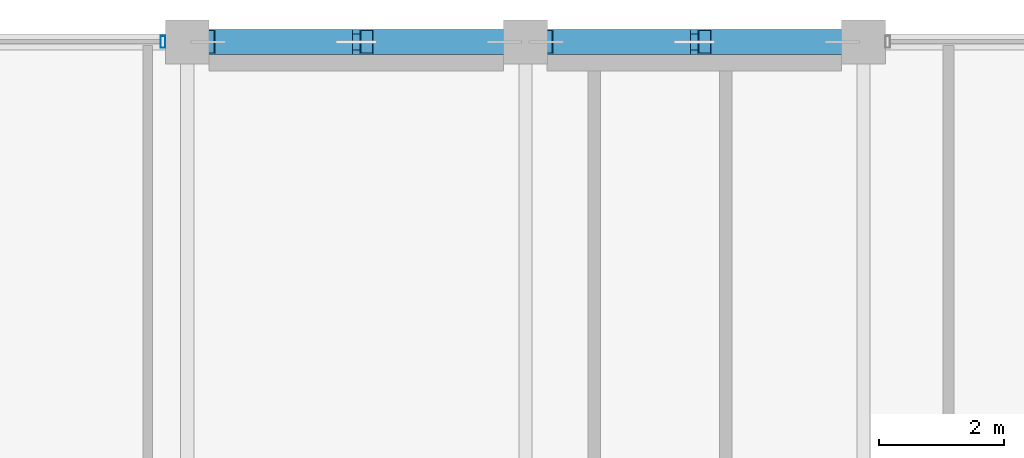
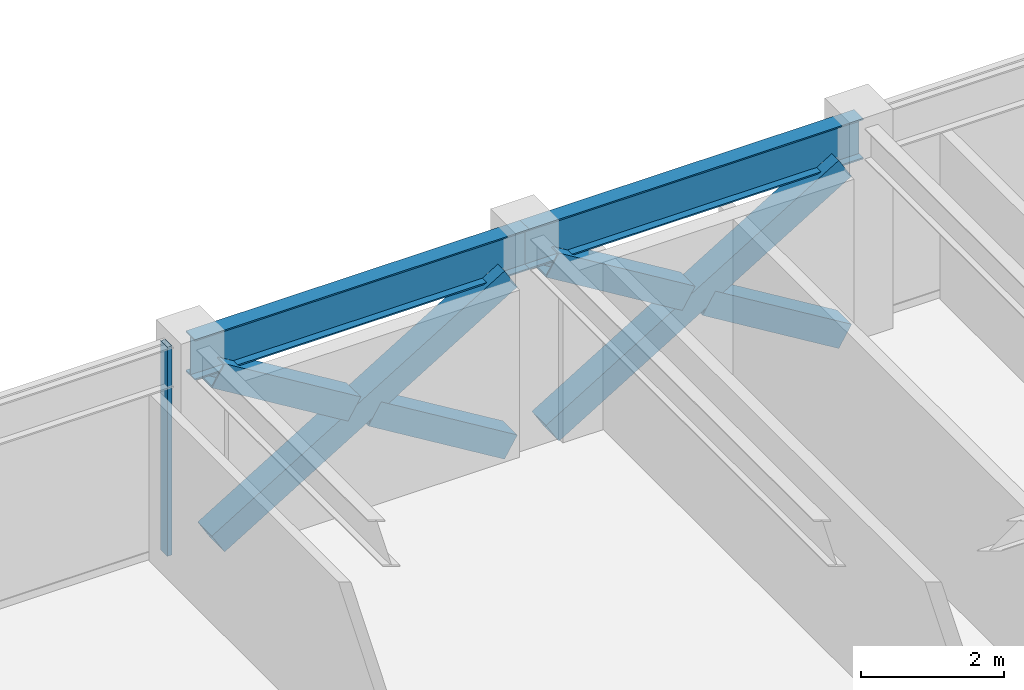
# One storey, part 19 of 30: 7 members, 2 beams, 1 element without a shape of its own.
"""IFC4 building model written with IfcOpenShell, lengths in metres."""

from ifc_helpers import new_model, si_unit, direction, frame, origin, origin_2d, place, context, subcontext, project, spatial, hollow_rectangle, i_section, extrude, material, layer, layer_set, material_profile, profile_set, type_object, element, aggregate, save


model = new_model("IFC4")

# Units and contexts
model_context = context("Model", 3, precision=1e-05, world=origin(), true_north=direction((0.0, 1.0)))
body_context = subcontext(model_context, "Body", "Model", "MODEL_VIEW")
ifc_project = project(units=[si_unit("LENGTHUNIT", "METRE"), si_unit("AREAUNIT", "SQUARE_METRE"), si_unit("VOLUMEUNIT", "CUBIC_METRE"), si_unit("PLANEANGLEUNIT", "RADIAN"), si_unit("MASSUNIT", "GRAM", prefix="KILO")], contexts=[model_context])

# Site, building, storey
site_placement = place(None, origin())
site = spatial("IfcSite", under=ifc_project, at=site_placement, CompositionType="ELEMENT")
building_placement = place(site_placement, origin())
building = spatial("IfcBuilding", under=site, at=building_placement, Name="Surkhivell Harbour Commons", CompositionType="ELEMENT")
storey_placement = place(building_placement, frame((0.0, 0.0, 300.0)))
storey = spatial("IfcBuildingStorey", under=building, at=storey_placement, Name="L78", CompositionType="ELEMENT", Elevation=300.0)

# Beams
ifc_material_1 = material(Name="Steel S355", Category="steel")
ifc_material_profile_1 = material_profile(ifc_material_1, i_section(OverallWidth=0.256103515625, OverallDepth=0.693115234375, WebThickness=0.014404296875, FlangeThickness=0.023681640625, at=origin_2d()), Name="UB686x254x170")
ifc_profile_set_1 = profile_set([ifc_material_profile_1], Name="Steel S355")
beam_type = type_object("IfcBeamType", Name="BM-SPN-686", PredefinedType="SPANDREL", material=ifc_profile_set_1)
for number, where, z_axis, x_axis, name in (
    (1, (-5.39990234375, 25.89990234375, 3.223388671875), (1.0, 0.0, 0.0), (0.0, 1.0, 0.0), "L78 Tube Spandrel (-5.4,25.9)"),
    (2, (0.0, 25.89990234375, 3.223388671875), (1.0, 0.0, 0.0), (0.0, 1.0, 0.0), "L78 Tube Spandrel (-0.0,25.9)"),
):
    element("IfcBeam", number, at=place(storey_placement, frame(where, z_axis=z_axis, x_axis=x_axis)), inside=storey, type_object=beam_type, Name=name, PredefinedType="SPANDREL", context=body_context, shape_type="SweptSolid", body=[
        extrude(i_section(OverallWidth=0.256103515625, OverallDepth=0.693115234375, WebThickness=0.014404296875, FlangeThickness=0.023681640625, at=origin_2d()), origin(), (0.0, 0.0, 1.0), 5.39990234375),
    ])

# Curtain wall, member
ifc_material_2 = material(Name="Anodised pale-metal aluminium and insulated glazing", Category="aluminium")
ifc_layer = layer(ifc_material_2, 0.175048828125)
ifc_layer_set = layer_set([ifc_layer], Name="Anodised pale-metal aluminium and insulated glazing")
curtain_wall_type = type_object("IfcCurtainWallType", Name="CW-SYS-Z4", PredefinedType="NOTDEFINED", material=ifc_layer_set)
curtain_wall_placement = place(storey_placement, origin())
curtain_wall = element("IfcCurtainWall", 3, at=curtain_wall_placement, inside=storey, type_object=curtain_wall_type, Name="L78 Curtain Wall CW-L78-E07S2", PredefinedType="NOTDEFINED")
ifc_material_3 = material(Name="Anodised pale-metal aluminium alloy 6063-T6", Category="aluminium")
ifc_material_profile_2 = material_profile(ifc_material_3, hollow_rectangle(XDim=0.074951171875, YDim=0.18994140625, WallThickness=0.00390625, at=origin_2d()), Name="ALU-MULL-75x190")
ifc_profile_set_2 = profile_set([ifc_material_profile_2], Name="Anodised pale-metal aluminium alloy 6063-T6")
member_type_1 = type_object("IfcMemberType", Name="CWM-190", PredefinedType="MULLION", material=ifc_profile_set_2)
member_1_placement = place(storey_placement, frame((-5.78955078125, 25.89990234375, 0.0), z_axis=(0.0, 0.0, 1.0), x_axis=(-1.0, 0.0, 0.0)))
member_1 = element("IfcMember", 4, at=member_1_placement, type_object=member_type_1, Name="CW-Z4 mullion 1", PredefinedType="MULLION", context=body_context, shape_type="SweptSolid", body=[
    extrude(hollow_rectangle(XDim=0.074951171875, YDim=0.18994140625, WallThickness=0.00390625, at=origin_2d()), origin(), (0.0, 0.0, 1.0), 3.570068359375),
])
aggregate(curtain_wall, [member_1])

# Members
ifc_material_4 = material(Name="Steel S460", Category="steel")
ifc_material_profile_3 = material_profile(ifc_material_4, hollow_rectangle(XDim=0.39990234375, YDim=0.39990234375, WallThickness=0.02001953125, at=origin_2d()), Name="SHS400x400x20")
ifc_profile_set_3 = profile_set([ifc_material_profile_3], Name="Steel S460")
member_type_2 = type_object("IfcMemberType", Name="MEM-BRC-SHS400", PredefinedType="BRACE", material=ifc_profile_set_3)
member_2_placement = place(storey_placement, frame((-5.06494140625, 25.89990234375, 0.008056640625), z_axis=(0.854685454322, 0.0, 0.519146197299), x_axis=(0.0, 1.0, 0.0)))
element("IfcMember", 5, at=member_2_placement, inside=storey, type_object=member_type_2, Name="L78 Perimeter Mega-Brace MB- 01", PredefinedType="BRACE", context=body_context, shape_type="SweptSolid", body=[
    extrude(hollow_rectangle(XDim=0.39990234375, YDim=0.39990234375, WallThickness=0.02001953125, at=origin_2d()), origin(), (0.0, 0.0, 1.0), 5.5341796875),
])
member_3_placement = place(storey_placement, frame((-0.3349609375, 25.89990234375, 0.008056640625), z_axis=(-0.854719912157, 0.0, 0.519089464122), x_axis=(0.0, -1.0, 0.0)))
element("IfcMember", 6, at=member_3_placement, inside=storey, type_object=member_type_2, Name="L78 Perimeter Mega-Brace MB- 02", PredefinedType="BRACE", context=body_context, shape_type="SweptSolid", body=[
    extrude(hollow_rectangle(XDim=0.39990234375, YDim=0.39990234375, WallThickness=0.02001953125, at=origin_2d()), origin(), (0.0, 0.0, 1.0), 2.574951171875),
])
member_4_placement = place(storey_placement, frame((-2.864013671875, 25.89990234375, 1.544189453125), z_axis=(-0.854677846108, 0.0, 0.519158722716), x_axis=(0.0, -1.0, 0.0)))
element("IfcMember", 7, at=member_4_placement, inside=storey, type_object=member_type_2, Name="L78 Perimeter Mega-Brace MB- 03", PredefinedType="BRACE", context=body_context, shape_type="SweptSolid", body=[
    extrude(hollow_rectangle(XDim=0.39990234375, YDim=0.39990234375, WallThickness=0.02001953125, at=origin_2d()), origin(), (0.0, 0.0, 1.0), 2.5751953125),
])
member_5_placement = place(storey_placement, frame((0.3349609375, 25.89990234375, 0.008056640625), z_axis=(0.854685454322, 0.0, 0.519146197299), x_axis=(0.0, 1.0, 0.0)))
element("IfcMember", 8, at=member_5_placement, inside=storey, type_object=member_type_2, Name="L78 Perimeter Mega-Brace MB- 04", PredefinedType="BRACE", context=body_context, shape_type="SweptSolid", body=[
    extrude(hollow_rectangle(XDim=0.39990234375, YDim=0.39990234375, WallThickness=0.02001953125, at=origin_2d()), origin(), (0.0, 0.0, 1.0), 5.5341796875),
])
member_6_placement = place(storey_placement, frame((5.06494140625, 25.89990234375, 0.008056640625), z_axis=(-0.854719912157, 0.0, 0.519089464122), x_axis=(0.0, -1.0, 0.0)))
element("IfcMember", 9, at=member_6_placement, inside=storey, type_object=member_type_2, Name="L78 Perimeter Mega-Brace MB- 05", PredefinedType="BRACE", context=body_context, shape_type="SweptSolid", body=[
    extrude(hollow_rectangle(XDim=0.39990234375, YDim=0.39990234375, WallThickness=0.02001953125, at=origin_2d()), origin(), (0.0, 0.0, 1.0), 2.574951171875),
])
member_7_placement = place(storey_placement, frame((2.535888671875, 25.89990234375, 1.544189453125), z_axis=(-0.854677846108, 0.0, 0.519158722716), x_axis=(0.0, -1.0, 0.0)))
element("IfcMember", 10, at=member_7_placement, inside=storey, type_object=member_type_2, Name="L78 Perimeter Mega-Brace MB- 06", PredefinedType="BRACE", context=body_context, shape_type="SweptSolid", body=[
    extrude(hollow_rectangle(XDim=0.39990234375, YDim=0.39990234375, WallThickness=0.02001953125, at=origin_2d()), origin(), (0.0, 0.0, 1.0), 2.5751953125),
])

save(model, "model.ifc")
